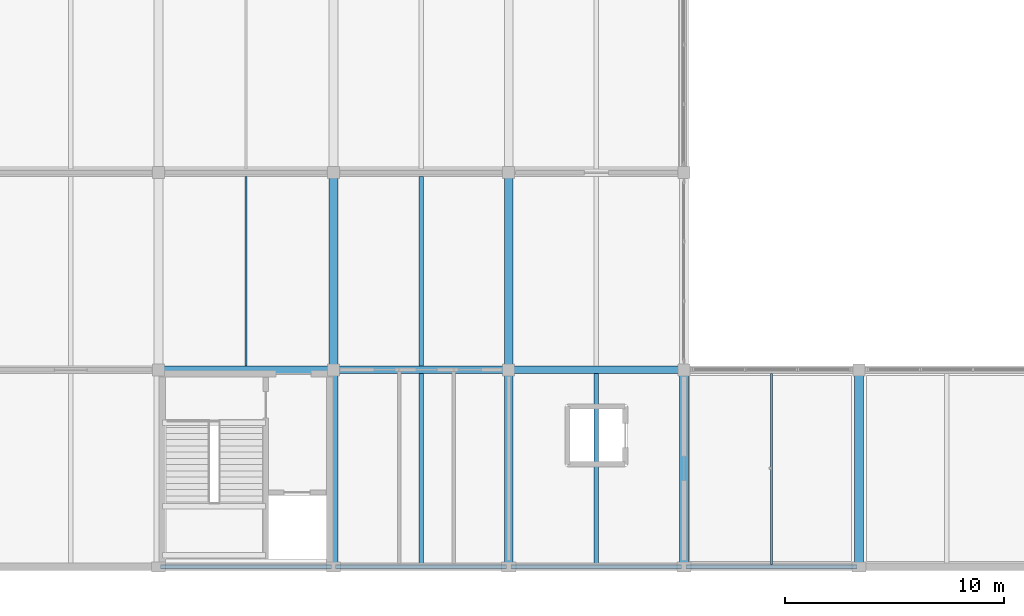
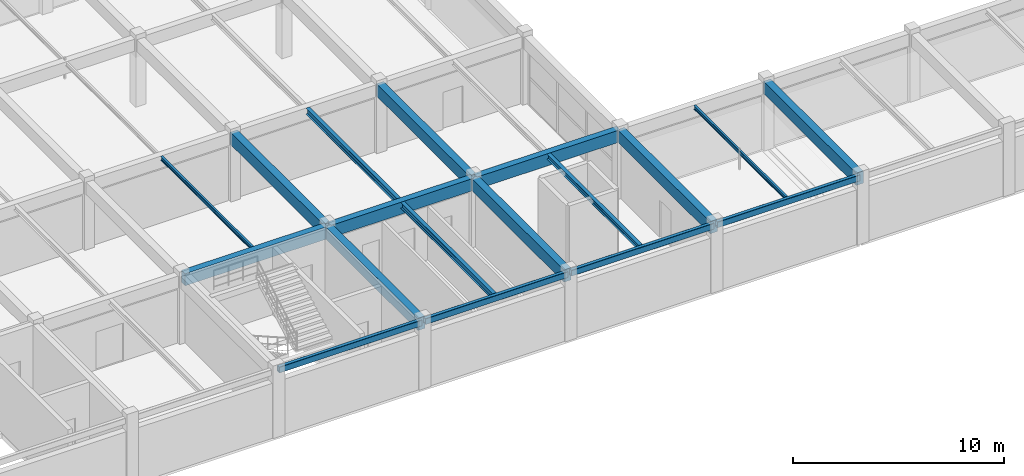
# One storey, part 8 of 63: 18 beams.
"""IFC4 building model written with IfcOpenShell, lengths in metres."""

from ifc_helpers import new_model, si_unit, direction, frame, origin, origin_2d, place, context, subcontext, project, spatial, rectangle, hollow_rectangle, i_section, extrude, material, material_profile, profile_set, type_object, element, save


model = new_model("IFC4")

# Units and contexts
model_context = context("Model", 3, precision=1e-05, world=origin(), true_north=direction((0.0, 1.0)))
body_context = subcontext(model_context, "Body", "Model", "MODEL_VIEW")
ifc_project = project(units=[si_unit("LENGTHUNIT", "METRE"), si_unit("AREAUNIT", "SQUARE_METRE"), si_unit("VOLUMEUNIT", "CUBIC_METRE"), si_unit("PLANEANGLEUNIT", "RADIAN"), si_unit("MASSUNIT", "GRAM", prefix="KILO")], contexts=[model_context])

# Site, building, storey
site_placement = place(None, origin())
site = spatial("IfcSite", under=ifc_project, at=site_placement, CompositionType="ELEMENT")
building_placement = place(site_placement, origin())
building = spatial("IfcBuilding", under=site, at=building_placement, Name="Varnabhumi Central Station", CompositionType="ELEMENT")
storey_placement = place(building_placement, frame((0.0, 0.0, 20.39990234375)))
storey = spatial("IfcBuildingStorey", under=building, at=storey_placement, Name="L04", CompositionType="ELEMENT", Elevation=20.39990234375)

# Beams
ifc_material_1 = material(Name="Concrete M40", Category="concrete")
ifc_material_profile_1 = material_profile(ifc_material_1, rectangle(XDim=0.35009765625, YDim=0.699951171875, at=origin_2d()), Name="Concrete M40", Category="concrete")
ifc_profile_set_1 = profile_set([ifc_material_profile_1], Name="Concrete M40")
beam_type_1 = type_object("IfcBeamType", Name="BM-RC-350x700", PredefinedType="BEAM", material=ifc_profile_set_1)
for number, where, z_axis, x_axis, name in (
    (1, (88.10009765625, 9.0, 3.570068359375), (1.0, 0.0, 0.0), (0.0, 1.0, 0.0), "Beam L04-B:12-13"),
    (2, (96.10009765625, 9.0, 3.570068359375), (1.0, 0.0, 0.0), (0.0, 1.0, 0.0), "Beam L04-B:13-14"),
    (3, (104.10009765625, 9.0, 3.570068359375), (1.0, 0.0, 0.0), (0.0, 1.0, 0.0), "Beam L04-B:14-15"),
):
    element("IfcBeam", number, at=place(storey_placement, frame(where, z_axis=z_axis, x_axis=x_axis)), inside=storey, type_object=beam_type_1, Name=name, PredefinedType="BEAM", context=body_context, shape_type="SweptSolid", body=[
        extrude(rectangle(XDim=0.35009765625, YDim=0.699951171875, at=origin_2d()), origin(), (0.0, 0.0, 1.0), 7.7998046875),
    ])
ifc_material_profile_2 = material_profile(ifc_material_1, rectangle(XDim=0.39990234375, YDim=0.699951171875, at=origin_2d()), Name="Concrete M40", Category="concrete")
ifc_profile_set_2 = profile_set([ifc_material_profile_2], Name="Concrete M40")
beam_type_2 = type_object("IfcBeamType", Name="BM-RC-700x400", PredefinedType="BEAM", material=ifc_profile_set_2)
for number, where, z_axis, x_axis, name in (
    (4, (96.0, 0.10009765625, 3.570068359375), (0.0, 1.0, 0.0), (-1.0, 0.0, 0.0), "Beam L04-13:A-B"),
    (5, (104.0, 0.10009765625, 3.570068359375), (0.0, 1.0, 0.0), (-1.0, 0.0, 0.0), "Beam L04-14:A-B"),
    (6, (112.0, 0.10009765625, 3.570068359375), (0.0, 1.0, 0.0), (-1.0, 0.0, 0.0), "Beam L04-15:A-B"),
    (7, (120.0, 0.10009765625, 3.570068359375), (0.0, 1.0, 0.0), (-1.0, 0.0, 0.0), "Beam L04-16:A-B"),
    (8, (96.0, 9.10009765625, 3.570068359375), (0.0, 1.0, 0.0), (-1.0, 0.0, 0.0), "Beam L04-13:B-C"),
    (9, (104.0, 9.10009765625, 3.570068359375), (0.0, 1.0, 0.0), (-1.0, 0.0, 0.0), "Beam L04-14:B-C"),
):
    element("IfcBeam", number, at=place(storey_placement, frame(where, z_axis=z_axis, x_axis=x_axis)), inside=storey, type_object=beam_type_2, Name=name, PredefinedType="BEAM", context=body_context, shape_type="SweptSolid", body=[
        extrude(rectangle(XDim=0.39990234375, YDim=0.699951171875, at=origin_2d()), origin(), (0.0, 0.0, 1.0), 8.7998046875),
    ])
ifc_material_2 = material(Name="Structural steel E350", Category="steel")
ifc_material_profile_3 = material_profile(ifc_material_2, i_section(OverallWidth=0.110107421875, OverallDepth=0.22509765625, WebThickness=0.006591796875, FlangeThickness=0.01171875, FilletRadius=0.011962890625, at=origin_2d()), Name="Structural steel E350", Category="steel")
ifc_profile_set_3 = profile_set([ifc_material_profile_3], Name="Structural steel E350")
beam_type_3 = type_object("IfcBeamType", Name="BM-STL-ISMB225", PredefinedType="JOIST", material=ifc_profile_set_3)
beam_1_placement = place(storey_placement, frame((116.0, 0.10009765625, 3.8076171875), z_axis=(0.0, 1.0, 0.0), x_axis=(-1.0, 0.0, 0.0)))
element("IfcBeam", 10, at=beam_1_placement, inside=storey, type_object=beam_type_3, Name="Secondary Joist L04-15/16:A-B", PredefinedType="JOIST", context=body_context, shape_type="SweptSolid", body=[
    extrude(i_section(OverallWidth=0.110107421875, OverallDepth=0.22509765625, WebThickness=0.006591796875, FlangeThickness=0.01171875, FilletRadius=0.011962890625, at=origin_2d()), origin(), (0.0, 0.0, 1.0), 8.724853515625),
])
beam_2_placement = place(storey_placement, frame((92.0, 9.175048828125, 3.8076171875), z_axis=(0.0, 1.0, 0.0), x_axis=(-1.0, 0.0, 0.0)))
element("IfcBeam", 11, at=beam_2_placement, inside=storey, type_object=beam_type_3, Name="Secondary Joist L04-12/13:B-C", PredefinedType="JOIST", context=body_context, shape_type="SweptSolid", body=[
    extrude(i_section(OverallWidth=0.110107421875, OverallDepth=0.22509765625, WebThickness=0.006591796875, FlangeThickness=0.01171875, FilletRadius=0.011962890625, at=origin_2d()), origin(), (0.0, 0.0, 1.0), 8.64990234375),
])
ifc_material_profile_4 = material_profile(ifc_material_2, i_section(OverallWidth=0.199951171875, OverallDepth=0.300048828125, WebThickness=0.00732421875, FlangeThickness=0.010009765625, FilletRadius=0.010986328125, at=origin_2d()), Name="Structural steel E350", Category="steel")
ifc_profile_set_4 = profile_set([ifc_material_profile_4], Name="Structural steel E350")
beam_type_4 = type_object("IfcBeamType", Name="BM-STL-ISWB300", PredefinedType="JOIST", material=ifc_profile_set_4)
beam_3_placement = place(storey_placement, frame((108.0, 0.10009765625, 3.77001953125), z_axis=(0.0, 1.0, 0.0), x_axis=(-1.0, 0.0, 0.0)))
element("IfcBeam", 12, at=beam_3_placement, inside=storey, type_object=beam_type_4, Name="Secondary Joist L04-14/15:A-B", PredefinedType="JOIST", context=body_context, shape_type="SweptSolid", body=[
    extrude(i_section(OverallWidth=0.199951171875, OverallDepth=0.300048828125, WebThickness=0.00732421875, FlangeThickness=0.010009765625, FilletRadius=0.010986328125, at=origin_2d()), origin(), (0.0, 0.0, 1.0), 8.724853515625),
])
ifc_material_profile_5 = material_profile(ifc_material_2, i_section(OverallWidth=0.199951171875, OverallDepth=0.35009765625, WebThickness=0.008056640625, FlangeThickness=0.011474609375, FilletRadius=0.011962890625, at=origin_2d()), Name="Structural steel E350", Category="steel")
ifc_profile_set_5 = profile_set([ifc_material_profile_5], Name="Structural steel E350")
beam_type_5 = type_object("IfcBeamType", Name="BM-STL-ISWB350", PredefinedType="JOIST", material=ifc_profile_set_5)
beam_4_placement = place(storey_placement, frame((100.0, 0.10009765625, 3.7451171875), z_axis=(0.0, 1.0, 0.0), x_axis=(-1.0, 0.0, 0.0)))
element("IfcBeam", 13, at=beam_4_placement, inside=storey, type_object=beam_type_5, Name="Secondary Joist L04-13/14:A-B", PredefinedType="JOIST", context=body_context, shape_type="SweptSolid", body=[
    extrude(i_section(OverallWidth=0.199951171875, OverallDepth=0.35009765625, WebThickness=0.008056640625, FlangeThickness=0.011474609375, FilletRadius=0.011962890625, at=origin_2d()), origin(), (0.0, 0.0, 1.0), 8.724853515625),
])
beam_5_placement = place(storey_placement, frame((100.0, 9.175048828125, 3.7451171875), z_axis=(0.0, 1.0, 0.0), x_axis=(-1.0, 0.0, 0.0)))
element("IfcBeam", 14, at=beam_5_placement, inside=storey, type_object=beam_type_5, Name="Secondary Joist L04-13/14:B-C", PredefinedType="JOIST", context=body_context, shape_type="SweptSolid", body=[
    extrude(i_section(OverallWidth=0.199951171875, OverallDepth=0.35009765625, WebThickness=0.008056640625, FlangeThickness=0.011474609375, FilletRadius=0.011962890625, at=origin_2d()), origin(), (0.0, 0.0, 1.0), 8.64990234375),
])
ifc_material_profile_6 = material_profile(ifc_material_2, hollow_rectangle(XDim=0.199951171875, YDim=0.35009765625, WallThickness=0.011962890625, InnerFilletRadius=0.011962890625, OuterFilletRadius=0.02392578125, at=origin_2d()), Name="Structural steel E350", Category="steel")
ifc_profile_set_6 = profile_set([ifc_material_profile_6], Name="Structural steel E350")
beam_type_6 = type_object("IfcBeamType", Name="BM-STL-RHS350", PredefinedType="SPANDREL", material=ifc_profile_set_6)
for number, where, z_axis, x_axis, name in (
    (15, (88.10009765625, 0.0, 3.7451171875), (1.0, 0.0, 0.0), (0.0, 1.0, 0.0), "Beam L04-A:12-13"),
    (16, (96.10009765625, 0.0, 3.7451171875), (1.0, 0.0, 0.0), (0.0, 1.0, 0.0), "Beam L04-A:13-14"),
    (17, (104.10009765625, 0.0, 3.7451171875), (1.0, 0.0, 0.0), (0.0, 1.0, 0.0), "Beam L04-A:14-15"),
    (18, (112.10009765625, 0.0, 3.7451171875), (1.0, 0.0, 0.0), (0.0, 1.0, 0.0), "Beam L04-A:15-16"),
):
    element("IfcBeam", number, at=place(storey_placement, frame(where, z_axis=z_axis, x_axis=x_axis)), inside=storey, type_object=beam_type_6, Name=name, PredefinedType="SPANDREL", context=body_context, shape_type="SweptSolid", body=[
        extrude(hollow_rectangle(XDim=0.199951171875, YDim=0.35009765625, WallThickness=0.011962890625, InnerFilletRadius=0.011962890625, OuterFilletRadius=0.02392578125, at=origin_2d()), origin(), (0.0, 0.0, 1.0), 7.7998046875),
    ])

save(model, "model.ifc")
